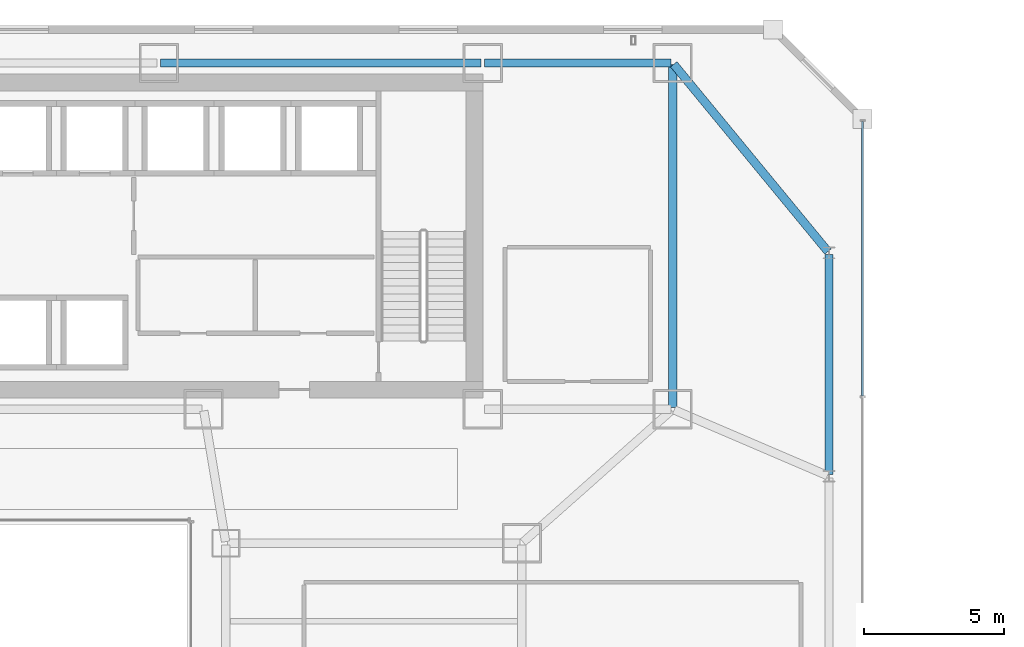
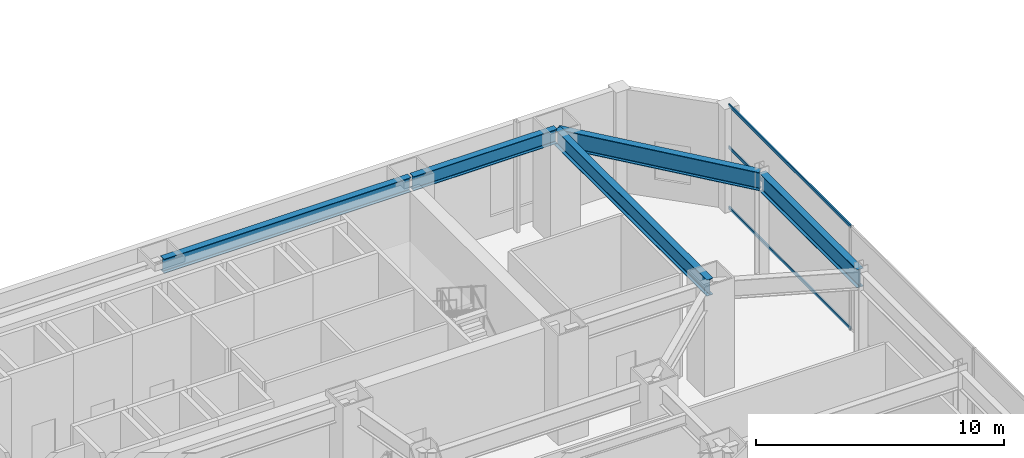
# One storey, part 30 of 52: 5 beams, 3 members, 1 element without a shape of its own.
"""IFC4 building model written with IfcOpenShell, lengths in metres."""

from ifc_helpers import new_model, si_unit, direction, frame, origin, origin_2d, place, context, subcontext, project, spatial, hollow_rectangle, i_section, extrude, material, material_profile, profile_set, type_object, element, aggregate, save


model = new_model("IFC4")

# Units and contexts
model_context = context("Model", 3, precision=1e-05, world=origin(), true_north=direction((0.0, 1.0)))
body_context = subcontext(model_context, "Body", "Model", "MODEL_VIEW")
ifc_project = project(units=[si_unit("LENGTHUNIT", "METRE"), si_unit("AREAUNIT", "SQUARE_METRE"), si_unit("VOLUMEUNIT", "CUBIC_METRE"), si_unit("PLANEANGLEUNIT", "RADIAN"), si_unit("MASSUNIT", "GRAM", prefix="KILO")], contexts=[model_context])

# Site, building, storey
site_placement = place(None, origin())
site = spatial("IfcSite", under=ifc_project, at=site_placement, CompositionType="ELEMENT")
building_placement = place(site_placement, origin())
building = spatial("IfcBuilding", under=site, at=building_placement, Name="Saevonmaru Cultural Tower", CompositionType="ELEMENT")
storey_placement = place(building_placement, frame((0.0, 0.0, 16.800048828125)))
storey = spatial("IfcBuildingStorey", under=building, at=storey_placement, Name="L03", CompositionType="ELEMENT", Elevation=16.800048828125)

# Beams
ifc_material_1 = material(Name="Steel SM420", Category="steel")
ifc_material_profile_1 = material_profile(ifc_material_1, i_section(OverallWidth=0.300048828125, OverallDepth=0.800048828125, WebThickness=0.013916015625, FlangeThickness=0.02587890625, FilletRadius=0.028076171875, at=origin_2d()), Name="H-800x300x14x26")
ifc_profile_set_1 = profile_set([ifc_material_profile_1], Name="Steel SM420")
beam_type_1 = type_object("IfcBeamType", Name="BM-G-H800", PredefinedType="BEAM", material=ifc_profile_set_1)
beam_1_placement = place(storey_placement, frame((53.199951171875, 54.739990234375, 4.699951171875), z_axis=(0.0, -1.0, 0.0), x_axis=(1.0, 0.0, 0.0)))
element("IfcBeam", 1, at=beam_1_placement, inside=storey, type_object=beam_type_1, Name="L03 Spine Transverse Girder E", PredefinedType="BEAM", context=body_context, shape_type="SweptSolid", body=[
    extrude(i_section(OverallWidth=0.300048828125, OverallDepth=0.800048828125, WebThickness=0.013916015625, FlangeThickness=0.02587890625, FilletRadius=0.028076171875, at=origin_2d()), origin(), (0.0, 0.0, 1.0), 12.280029296875),
])
ifc_material_profile_2 = material_profile(ifc_material_1, i_section(OverallWidth=0.300048828125, OverallDepth=0.89990234375, WebThickness=0.01611328125, FlangeThickness=0.028076171875, FilletRadius=0.028076171875, at=origin_2d()), Name="H-900x300x16x28")
ifc_profile_set_2 = profile_set([ifc_material_profile_2], Name="Steel SM420")
beam_type_2 = type_object("IfcBeamType", Name="BM-G-H900", PredefinedType="BEAM", material=ifc_profile_set_2)
beam_2_placement = place(storey_placement, frame((58.800048828125, 40.06005859375, 4.64990234375), z_axis=(0.0, 1.0, 0.0), x_axis=(-1.0, 0.0, 0.0)))
element("IfcBeam", 2, at=beam_2_placement, inside=storey, type_object=beam_type_2, Name="BM-POD-PE-5-L03", PredefinedType="BEAM", context=body_context, shape_type="SweptSolid", body=[
    extrude(i_section(OverallWidth=0.300048828125, OverallDepth=0.89990234375, WebThickness=0.01611328125, FlangeThickness=0.028076171875, FilletRadius=0.028076171875, at=origin_2d()), origin(), (0.0, 0.0, 1.0), 7.8798828125),
])
beam_3_placement = place(storey_placement, frame((53.238037109375, 54.753662109375, 4.64990234375), z_axis=(0.635726949651, -0.771914014309, 0.0), x_axis=(0.771914014309, 0.635726949651, 0.0)))
element("IfcBeam", 3, at=beam_3_placement, inside=storey, type_object=beam_type_2, Name="BM-POD-TE2-L03", PredefinedType="BEAM", context=body_context, shape_type="SweptSolid", body=[
    extrude(i_section(OverallWidth=0.300048828125, OverallDepth=0.89990234375, WebThickness=0.01611328125, FlangeThickness=0.028076171875, FilletRadius=0.028076171875, at=origin_2d()), origin(), (0.0, 0.0, 1.0), 8.689208984375),
])
ifc_material_2 = material(Name="Steel SM355", Category="steel")
ifc_material_profile_3 = material_profile(ifc_material_2, i_section(OverallWidth=0.300048828125, OverallDepth=0.699951171875, WebThickness=0.012939453125, FlangeThickness=0.02392578125, FilletRadius=0.02587890625, at=origin_2d()), Name="H-700x300x13x24")
ifc_profile_set_3 = profile_set([ifc_material_profile_3], Name="Steel SM355")
beam_type_3 = type_object("IfcBeamType", Name="BM-SP-H700", PredefinedType="SPANDREL", material=ifc_profile_set_3)
beam_4_placement = place(storey_placement, frame((34.860107421875, 54.800048828125, 4.75), z_axis=(1.0, 0.0, 0.0), x_axis=(0.0, 1.0, 0.0)))
element("IfcBeam", 4, at=beam_4_placement, inside=storey, type_object=beam_type_3, Name="L03 North Spine Girder 4", PredefinedType="SPANDREL", context=body_context, shape_type="SweptSolid", body=[
    extrude(i_section(OverallWidth=0.300048828125, OverallDepth=0.699951171875, WebThickness=0.012939453125, FlangeThickness=0.02392578125, FilletRadius=0.02587890625, at=origin_2d()), origin(), (0.0, 0.0, 1.0), 11.47998046875),
])
beam_5_placement = place(storey_placement, frame((46.4599609375, 54.800048828125, 4.75), z_axis=(1.0, 0.0, 0.0), x_axis=(0.0, 1.0, 0.0)))
element("IfcBeam", 5, at=beam_5_placement, inside=storey, type_object=beam_type_3, Name="L03 North Spine Girder 5", PredefinedType="SPANDREL", context=body_context, shape_type="SweptSolid", body=[
    extrude(i_section(OverallWidth=0.300048828125, OverallDepth=0.699951171875, WebThickness=0.012939453125, FlangeThickness=0.02392578125, FilletRadius=0.02587890625, at=origin_2d()), origin(), (0.0, 0.0, 1.0), 6.679931640625),
])

# Curtain wall, members
ifc_material_3 = material(Name="Satin Bronze Anodised Aluminium", Category="aluminium")
curtain_wall_type = type_object("IfcCurtainWallType", Name="CW-POD-GLZ", PredefinedType="NOTDEFINED", material=ifc_material_3)
curtain_wall_placement = place(storey_placement, origin())
curtain_wall = element("IfcCurtainWall", 6, at=curtain_wall_placement, inside=storey, type_object=curtain_wall_type, Name="L03 Saevon Plaza Curtain Wall", PredefinedType="NOTDEFINED")
ifc_material_profile_4 = material_profile(ifc_material_3, hollow_rectangle(XDim=0.06494140625, YDim=0.14990234375, WallThickness=0.00390625, at=origin_2d()), Name="ALU-TRAN-150x65x4")
ifc_profile_set_4 = profile_set([ifc_material_profile_4], Name="Satin Bronze Anodised Aluminium")
member_type = type_object("IfcMemberType", Name="TR-CW-150x65", PredefinedType="USERDEFINED", material=ifc_profile_set_4)
member_1_placement = place(storey_placement, frame((60.0, 42.87646484375, 0.032470703125), z_axis=(0.0, 1.0, 0.0), x_axis=(-1.0, 0.0, 0.0)))
member_1 = element("IfcMember", 7, at=member_1_placement, type_object=member_type, Name="CW-POD-E-L03 transom 5.1", ObjectType="TRANSOM", PredefinedType="USERDEFINED", context=body_context, shape_type="SweptSolid", body=[
    extrude(hollow_rectangle(XDim=0.06494140625, YDim=0.14990234375, WallThickness=0.00390625, at=origin_2d()), origin(), (0.0, 0.0, 1.0), 9.8310546875),
])
member_2_placement = place(storey_placement, frame((60.0, 42.87646484375, 3.0), z_axis=(0.0, 1.0, 0.0), x_axis=(-1.0, 0.0, 0.0)))
member_2 = element("IfcMember", 8, at=member_2_placement, type_object=member_type, Name="CW-POD-E-L03 transom 5.2", ObjectType="TRANSOM", PredefinedType="USERDEFINED", context=body_context, shape_type="SweptSolid", body=[
    extrude(hollow_rectangle(XDim=0.06494140625, YDim=0.14990234375, WallThickness=0.00390625, at=origin_2d()), origin(), (0.0, 0.0, 1.0), 9.8310546875),
])
member_3_placement = place(storey_placement, frame((60.0, 42.87646484375, 5.0673828125), z_axis=(0.0, 1.0, 0.0), x_axis=(-1.0, 0.0, 0.0)))
member_3 = element("IfcMember", 9, at=member_3_placement, type_object=member_type, Name="CW-POD-E-L03 transom 5.3", ObjectType="TRANSOM", PredefinedType="USERDEFINED", context=body_context, shape_type="SweptSolid", body=[
    extrude(hollow_rectangle(XDim=0.06494140625, YDim=0.14990234375, WallThickness=0.00390625, at=origin_2d()), origin(), (0.0, 0.0, 1.0), 9.8310546875),
])
aggregate(curtain_wall, [member_1, member_2, member_3])

save(model, "model.ifc")
